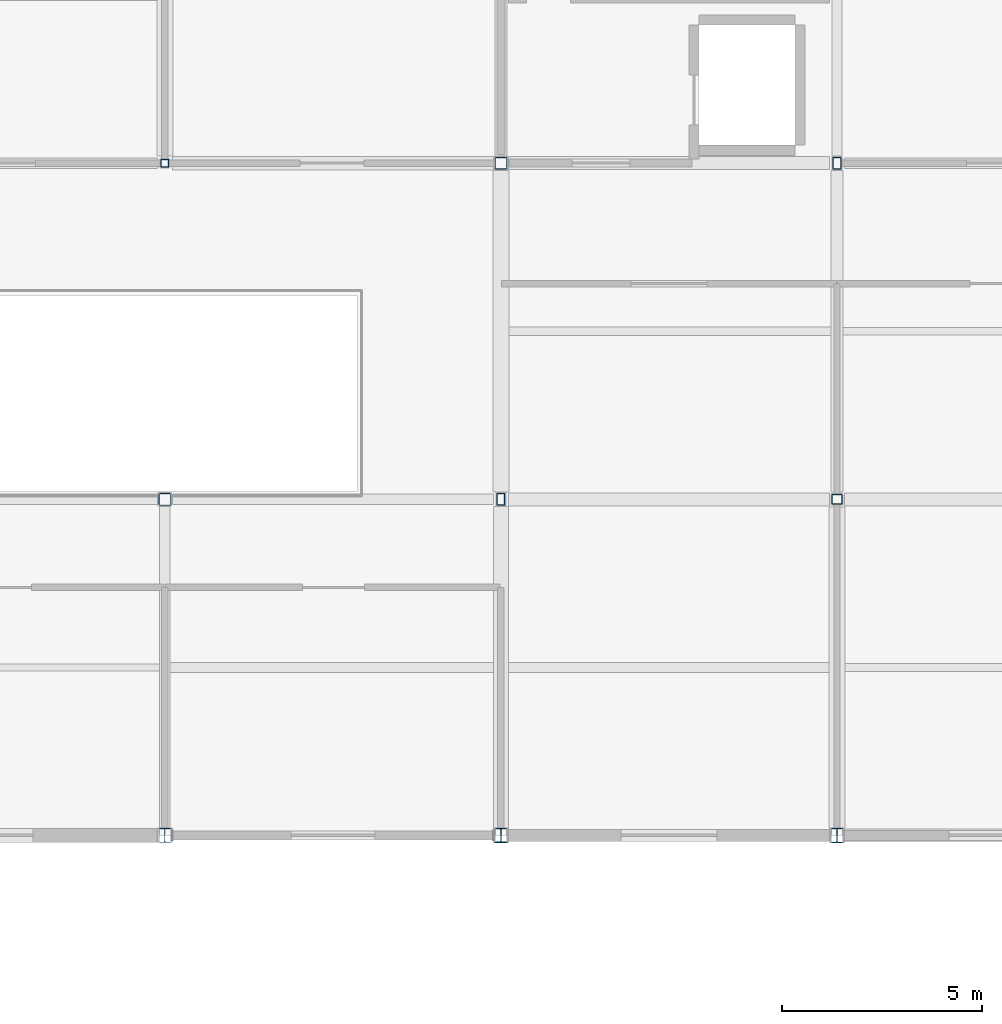
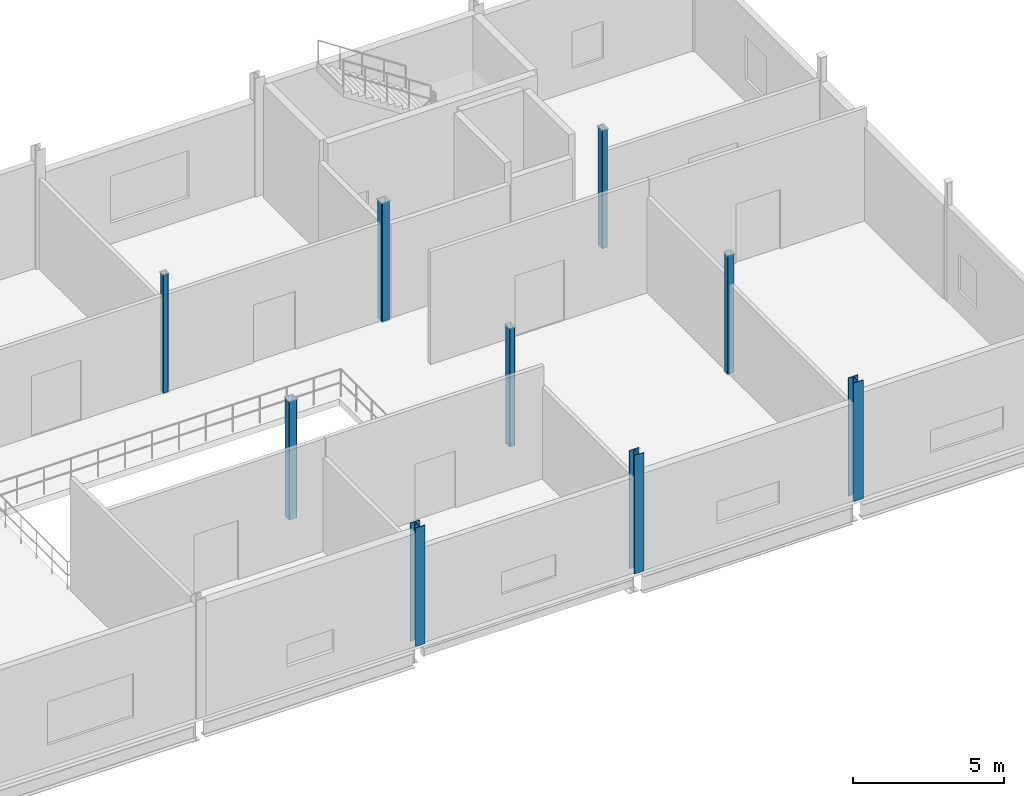
# One storey, part 2 of 45: 9 columns.
"""IFC4 building model written with IfcOpenShell, lengths in metres."""

from ifc_helpers import new_model, si_unit, direction, frame, origin, origin_2d, place, context, subcontext, project, spatial, hollow_rectangle, i_section, extrude, material, material_profile, profile_set, type_object, element, save


model = new_model("IFC4")

# Units and contexts
model_context = context("Model", 3, precision=1e-05, world=origin(), true_north=direction((0.0, 1.0)))
body_context = subcontext(model_context, "Body", "Model", "MODEL_VIEW")
ifc_project = project(units=[si_unit("LENGTHUNIT", "METRE"), si_unit("AREAUNIT", "SQUARE_METRE"), si_unit("VOLUMEUNIT", "CUBIC_METRE"), si_unit("PLANEANGLEUNIT", "RADIAN"), si_unit("MASSUNIT", "GRAM", prefix="KILO")], contexts=[model_context])

# Site, building, storey
site_placement = place(None, origin())
site = spatial("IfcSite", under=ifc_project, at=site_placement, CompositionType="ELEMENT")
building_placement = place(site_placement, origin())
building = spatial("IfcBuilding", under=site, at=building_placement, Name="Calvrana Isthmian Art Gallery", CompositionType="ELEMENT")
storey_placement = place(building_placement, frame((0.0, 0.0, 19.800048828125)))
storey = spatial("IfcBuildingStorey", under=building, at=storey_placement, Name="L04", CompositionType="ELEMENT", Elevation=19.800048828125)

# Columns
ifc_material_1 = material(Name="Steel ASTM A500 Gr C", Category="steel")
ifc_material_profile_1 = material_profile(ifc_material_1, hollow_rectangle(XDim=0.203125, YDim=0.203125, WallThickness=0.0126953125, OuterFilletRadius=0.02490234375, at=origin_2d()), Name="HSS203X203X12.7")
ifc_profile_set_1 = profile_set([ifc_material_profile_1], Name="Steel ASTM A500 Gr C")
column_type_1 = type_object("IfcColumnType", Name="COL-STL-HSS203X203X12.7", PredefinedType="COLUMN", material=ifc_profile_set_1)
column_1_placement = place(storey_placement, frame((55.199951171875, 38.39990234375, 0.0), z_axis=(0.0, 0.0, 1.0), x_axis=(1.0, 0.0, 0.0)))
element("IfcColumn", 1, at=column_1_placement, inside=storey, type_object=column_type_1, Name="Column 08/F L04", PredefinedType="COLUMN", context=body_context, shape_type="SweptSolid", body=[
    extrude(hollow_rectangle(XDim=0.203125, YDim=0.203125, WallThickness=0.0126953125, OuterFilletRadius=0.02490234375, at=origin_2d()), origin(), (0.0, 0.0, 1.0), 4.800048828125),
])
ifc_material_profile_2 = material_profile(ifc_material_1, hollow_rectangle(XDim=0.25390625, YDim=0.25390625, WallThickness=0.0126953125, OuterFilletRadius=0.02490234375, at=origin_2d()), Name="HSS254X254X12.7")
ifc_profile_set_2 = profile_set([ifc_material_profile_2], Name="Steel ASTM A500 Gr C")
column_type_2 = type_object("IfcColumnType", Name="COL-STL-HSS254X254X12.7", PredefinedType="COLUMN", material=ifc_profile_set_2)
column_2_placement = place(storey_placement, frame((72.0, 30.0, 0.0), z_axis=(0.0, 0.0, 1.0), x_axis=(1.0, 0.0, 0.0)))
element("IfcColumn", 2, at=column_2_placement, inside=storey, type_object=column_type_2, Name="Column 10/E L04", PredefinedType="COLUMN", context=body_context, shape_type="SweptSolid", body=[
    extrude(hollow_rectangle(XDim=0.25390625, YDim=0.25390625, WallThickness=0.0126953125, OuterFilletRadius=0.02490234375, at=origin_2d()), origin(), (0.0, 0.0, 1.0), 4.800048828125),
])
ifc_material_profile_3 = material_profile(ifc_material_1, hollow_rectangle(XDim=0.203125, YDim=0.3046875, WallThickness=0.0126953125, OuterFilletRadius=0.02490234375, at=origin_2d()), Name="HSS305X203X12.7")
ifc_profile_set_3 = profile_set([ifc_material_profile_3], Name="Steel ASTM A500 Gr C")
column_type_3 = type_object("IfcColumnType", Name="COL-STL-HSS305X203X12.7", PredefinedType="COLUMN", material=ifc_profile_set_3)
for number, where, z_axis, x_axis, name in (
    (3, (63.60009765625, 30.0, 0.0), (0.0, 0.0, 1.0), (1.0, 0.0, 0.0), "Column 09/E L04"),
    (4, (72.0, 38.39990234375, 0.0), (0.0, 0.0, 1.0), (1.0, 0.0, 0.0), "Column 10/F L04"),
):
    element("IfcColumn", number, at=place(storey_placement, frame(where, z_axis=z_axis, x_axis=x_axis)), inside=storey, type_object=column_type_3, Name=name, PredefinedType="COLUMN", context=body_context, shape_type="SweptSolid", body=[
        extrude(hollow_rectangle(XDim=0.203125, YDim=0.3046875, WallThickness=0.0126953125, OuterFilletRadius=0.02490234375, at=origin_2d()), origin(), (0.0, 0.0, 1.0), 4.800048828125),
    ])
ifc_material_profile_4 = material_profile(ifc_material_1, hollow_rectangle(XDim=0.3046875, YDim=0.3046875, WallThickness=0.015869140625, OuterFilletRadius=0.031982421875, at=origin_2d()), Name="HSS305X305X15.9")
ifc_profile_set_4 = profile_set([ifc_material_profile_4], Name="Steel ASTM A500 Gr C")
column_type_4 = type_object("IfcColumnType", Name="COL-STL-HSS305X305X15.9", PredefinedType="COLUMN", material=ifc_profile_set_4)
for number, where, z_axis, x_axis, name in (
    (5, (55.199951171875, 30.0, 0.0), (0.0, 0.0, 1.0), (1.0, 0.0, 0.0), "Column 08/E L04"),
    (6, (63.60009765625, 38.39990234375, 0.0), (0.0, 0.0, 1.0), (1.0, 0.0, 0.0), "Column 09/F L04"),
):
    element("IfcColumn", number, at=place(storey_placement, frame(where, z_axis=z_axis, x_axis=x_axis)), inside=storey, type_object=column_type_4, Name=name, PredefinedType="COLUMN", context=body_context, shape_type="SweptSolid", body=[
        extrude(hollow_rectangle(XDim=0.3046875, YDim=0.3046875, WallThickness=0.015869140625, OuterFilletRadius=0.031982421875, at=origin_2d()), origin(), (0.0, 0.0, 1.0), 4.800048828125),
    ])
ifc_material_2 = material(Name="Steel ASTM A992 Gr 50", Category="steel")
ifc_material_profile_5 = material_profile(ifc_material_2, i_section(OverallWidth=0.37109375, OverallDepth=0.363037109375, WebThickness=0.01318359375, FlangeThickness=0.021728515625, FilletRadius=0.02490234375, at=origin_2d()), Name="W14X109")
ifc_profile_set_5 = profile_set([ifc_material_profile_5], Name="Steel ASTM A992 Gr 50")
column_type_5 = type_object("IfcColumnType", Name="COL-STL-W14X109", PredefinedType="COLUMN", material=ifc_profile_set_5)
column_3_placement = place(storey_placement, frame((55.199951171875, 21.60009765625, 0.0), z_axis=(0.0, 0.0, 1.0), x_axis=(1.0, 0.0, 0.0)))
element("IfcColumn", 7, at=column_3_placement, inside=storey, type_object=column_type_5, Name="Column 08/D L04", PredefinedType="COLUMN", context=body_context, shape_type="SweptSolid", body=[
    extrude(i_section(OverallWidth=0.37109375, OverallDepth=0.363037109375, WebThickness=0.01318359375, FlangeThickness=0.021728515625, FilletRadius=0.02490234375, at=origin_2d()), origin(), (0.0, 0.0, 1.0), 4.800048828125),
])
ifc_material_profile_6 = material_profile(ifc_material_2, i_section(OverallWidth=0.373046875, OverallDepth=0.373046875, WebThickness=0.016357421875, FlangeThickness=0.026123046875, FilletRadius=0.02490234375, at=origin_2d()), Name="W14X132")
ifc_profile_set_6 = profile_set([ifc_material_profile_6], Name="Steel ASTM A992 Gr 50")
column_type_6 = type_object("IfcColumnType", Name="COL-STL-W14X132", PredefinedType="COLUMN", material=ifc_profile_set_6)
column_4_placement = place(storey_placement, frame((72.0, 21.60009765625, 0.0), z_axis=(0.0, 0.0, 1.0), x_axis=(1.0, 0.0, 0.0)))
element("IfcColumn", 8, at=column_4_placement, inside=storey, type_object=column_type_6, Name="Column 10/D L04", PredefinedType="COLUMN", context=body_context, shape_type="SweptSolid", body=[
    extrude(i_section(OverallWidth=0.373046875, OverallDepth=0.373046875, WebThickness=0.016357421875, FlangeThickness=0.026123046875, FilletRadius=0.02490234375, at=origin_2d()), origin(), (0.0, 0.0, 1.0), 4.800048828125),
])
ifc_material_profile_7 = material_profile(ifc_material_2, i_section(OverallWidth=0.367919921875, OverallDepth=0.35595703125, WebThickness=0.01123046875, FlangeThickness=0.01806640625, FilletRadius=0.02490234375, at=origin_2d()), Name="W14X90")
ifc_profile_set_7 = profile_set([ifc_material_profile_7], Name="Steel ASTM A992 Gr 50")
column_type_7 = type_object("IfcColumnType", Name="COL-STL-W14X90", PredefinedType="COLUMN", material=ifc_profile_set_7)
column_5_placement = place(storey_placement, frame((63.60009765625, 21.60009765625, 0.0), z_axis=(0.0, 0.0, 1.0), x_axis=(1.0, 0.0, 0.0)))
element("IfcColumn", 9, at=column_5_placement, inside=storey, type_object=column_type_7, Name="Column 09/D L04", PredefinedType="COLUMN", context=body_context, shape_type="SweptSolid", body=[
    extrude(i_section(OverallWidth=0.367919921875, OverallDepth=0.35595703125, WebThickness=0.01123046875, FlangeThickness=0.01806640625, FilletRadius=0.02490234375, at=origin_2d()), origin(), (0.0, 0.0, 1.0), 4.800048828125),
])

save(model, "model.ifc")
